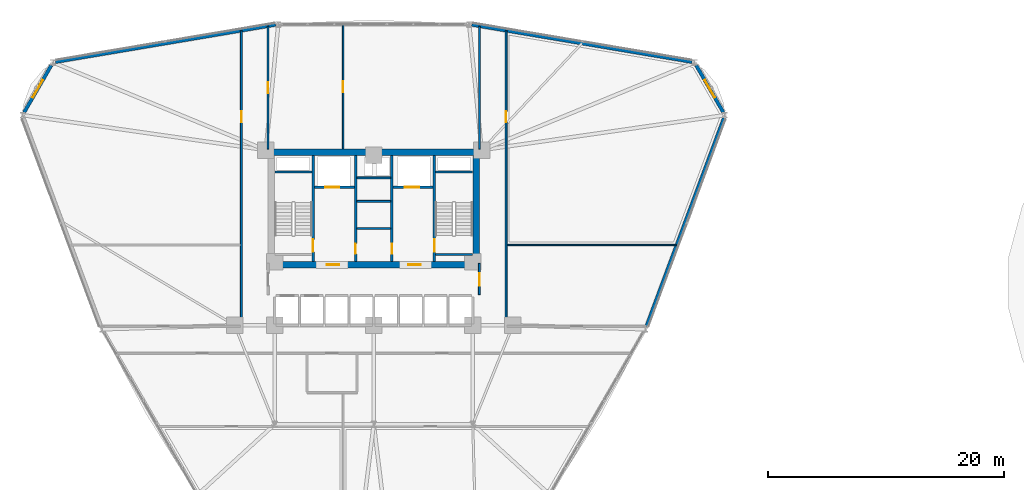
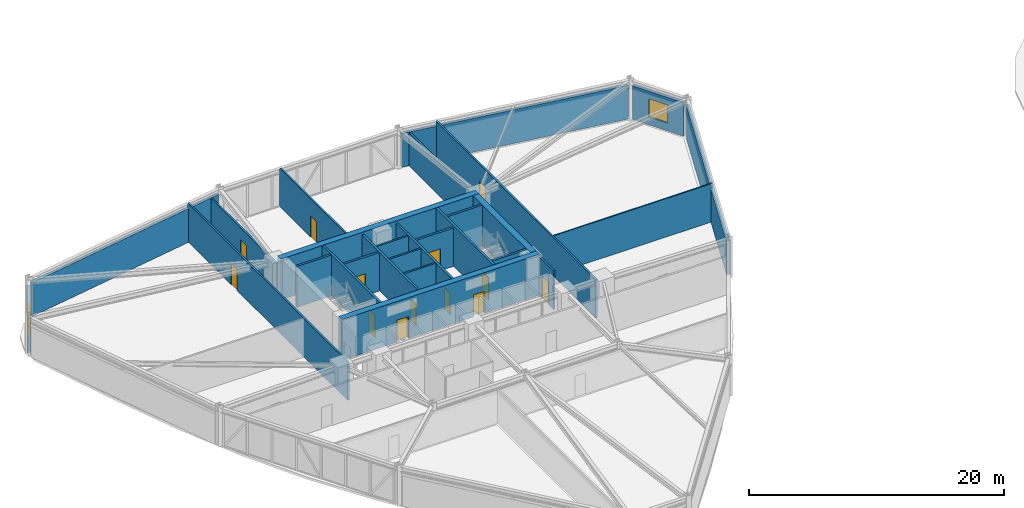
# One storey, part 17 of 23: 27 walls, 13 doors, 2 windows, 15 openings.
"""IFC4 building model written with IfcOpenShell, lengths in metres."""

from ifc_helpers import new_model, si_unit, derived_unit, direction, frame, frame_2d, origin, place, context, subcontext, project, spatial, rectangle, extrude, material, layer, layer_set, type_object, element, fill, save


model = new_model("IFC4")

# Units and contexts
model_context = context("Model", 3, precision=1e-05, world=origin(), true_north=direction((0.0, 1.0)))
body_context = subcontext(model_context, "Body", "Model", "MODEL_VIEW")
ifc_project = project(units=[si_unit("LENGTHUNIT", "METRE"), si_unit("AREAUNIT", "SQUARE_METRE"), si_unit("VOLUMEUNIT", "CUBIC_METRE"), si_unit("PLANEANGLEUNIT", "RADIAN"), si_unit("MASSUNIT", "GRAM", prefix="KILO"), derived_unit("THERMALTRANSMITTANCEUNIT", [(si_unit("POWERUNIT", "WATT"), 1), (si_unit("LENGTHUNIT", "METRE"), -2), (si_unit("THERMODYNAMICTEMPERATUREUNIT", "KELVIN"), -1)])], contexts=[model_context])

# Site, building, storey
site_placement = place(None, origin())
site = spatial("IfcSite", under=ifc_project, at=site_placement, CompositionType="ELEMENT")
building_placement = place(site_placement, origin())
building = spatial("IfcBuilding", under=site, at=building_placement, Name="Korsvarv Bourse and Concert Hall", CompositionType="ELEMENT")
storey_placement = place(building_placement, frame((0.0, 0.0, 24.0)))
storey = spatial("IfcBuildingStorey", under=building, at=storey_placement, Name="L05", CompositionType="ELEMENT", Elevation=24.0)

# Wall, opening, door
ifc_material_1 = material(Name="Concrete C50/60", Category="concrete")
ifc_layer_1 = layer(ifc_material_1, 0.3798828125)
ifc_layer_set_1 = layer_set([ifc_layer_1], Name="Concrete C50/60")
wall_type_1 = type_object("IfcWallType", Name="WL-CORE-380", PredefinedType="SHEAR", material=ifc_layer_set_1)
wall_1_placement = place(storey_placement, frame((30.860107421875, 37.81005859375, 0.0), z_axis=(0.0, 0.0, 1.0), x_axis=(0.0, 1.0, 0.0)))
wall_1 = element("IfcWall", 1, at=wall_1_placement, inside=storey, type_object=wall_type_1, Name="L05 stair shaft structural wall W-L05-ST1-E", PredefinedType="SHEAR", context=body_context, shape_type="SweptSolid", body=[
    extrude(rectangle(XDim=8.97998046875, YDim=0.199951171875, at=frame_2d((4.489990234375, 0.0))), origin(), (0.0, 0.0, 1.0), 3.89990234375),
])
opening_1_placement = place(wall_1_placement, frame((0.820068359375, 0.0, 0.0)))
opening_1 = element("IfcOpeningElement", 2, at=opening_1_placement, cuts=wall_1, Name="Opening D-01", PredefinedType="OPENING", context=body_context, shape_type="SweptSolid", body=[
    extrude(rectangle(XDim=1.050048828125, YDim=2.10009765625, at=frame_2d((0.52490234375, 1.050048828125))), frame((0.0, 0.10986328125, 0.0), z_axis=(0.0, -1.0, 0.0), x_axis=(1.0, 0.0, 0.0)), (0.0, 0.0, 1.0), 0.219970703125),
])
ifc_material_2 = material(Name="Steel S355 fire door", Category="steel")
door_type_1 = type_object("IfcDoorType", Name="DR-FD60", OperationType="NOTDEFINED", PredefinedType="DOOR", material=ifc_material_2)
door_1_placement = place(opening_1_placement, origin())
door_1 = element("IfcDoor", 3, at=door_1_placement, inside=storey, type_object=door_type_1, Name="L05 interior door DR-L05-ST1", OperationType="SINGLE_SWING_LEFT", OverallHeight=2.10009765625, OverallWidth=1.050048828125, PredefinedType="DOOR", context=body_context, shape_type="SweptSolid", body=[
    extrude(rectangle(XDim=1.050048828125, YDim=2.10009765625, at=frame_2d((0.52490234375, 1.050048828125))), frame((0.0, 0.02490234375, 0.0), z_axis=(0.0, -1.0, 0.0), x_axis=(1.0, 0.0, 0.0)), (0.0, 0.0, 1.0), 0.050048828125),
])
fill(opening_1, door_1)

# Wall
wall_2_placement = place(storey_placement, frame((27.610107421875, 45.39990234375, 0.0), z_axis=(0.0, 0.0, 1.0), x_axis=(1.0, 0.0, 0.0)))
element("IfcWall", 4, at=wall_2_placement, inside=storey, type_object=wall_type_1, Name="L05 stair shaft structural wall W-L05-ST1-N", PredefinedType="SHEAR", context=body_context, shape_type="SweptSolid", body=[
    extrude(rectangle(XDim=3.139892578125, YDim=0.199951171875, at=frame_2d((1.56982421875, 0.0))), origin(), (0.0, 0.0, 1.0), 3.89990234375),
])

# Wall, opening, door
wall_3_placement = place(storey_placement, frame((41.139892578125, 37.81005859375, 0.0), z_axis=(0.0, 0.0, 1.0), x_axis=(0.0, 1.0, 0.0)))
wall_3 = element("IfcWall", 5, at=wall_3_placement, inside=storey, type_object=wall_type_1, Name="L05 stair shaft structural wall W-L05-ST2-W", PredefinedType="SHEAR", context=body_context, shape_type="SweptSolid", body=[
    extrude(rectangle(XDim=8.97998046875, YDim=0.199951171875, at=frame_2d((4.489990234375, 0.0))), origin(), (0.0, 0.0, 1.0), 3.89990234375),
])
opening_2_placement = place(wall_3_placement, frame((0.820068359375, 0.0, 0.0)))
opening_2 = element("IfcOpeningElement", 6, at=opening_2_placement, cuts=wall_3, Name="Opening D-01", PredefinedType="OPENING", context=body_context, shape_type="SweptSolid", body=[
    extrude(rectangle(XDim=1.050048828125, YDim=2.10009765625, at=frame_2d((0.52490234375, 1.050048828125))), frame((0.0, 0.10986328125, 0.0), z_axis=(0.0, -1.0, 0.0), x_axis=(1.0, 0.0, 0.0)), (0.0, 0.0, 1.0), 0.219970703125),
])
door_2_placement = place(opening_2_placement, frame((1.050048828125, 0.0, 0.0), z_axis=(0.0, 0.0, 1.0), x_axis=(-1.0, 0.0, 0.0)))
door_2 = element("IfcDoor", 7, at=door_2_placement, inside=storey, type_object=door_type_1, Name="L05 interior door DR-L05-ST2", OperationType="SINGLE_SWING_RIGHT", OverallHeight=2.10009765625, OverallWidth=1.050048828125, PredefinedType="DOOR", context=body_context, shape_type="SweptSolid", body=[
    extrude(rectangle(XDim=1.050048828125, YDim=2.10009765625, at=frame_2d((0.52490234375, 1.050048828125))), frame((0.0, 0.02490234375, 0.0), z_axis=(0.0, -1.0, 0.0), x_axis=(1.0, 0.0, 0.0)), (0.0, 0.0, 1.0), 0.050048828125),
])
fill(opening_2, door_2)

# Walls
for number, where, z_axis, x_axis, name in (
    (8, (41.25, 45.39990234375, 0.0), (0.0, 0.0, 1.0), (1.0, 0.0, 0.0), "L05 stair shaft structural wall W-L05-ST2-N"),
    (9, (41.25, 38.39990234375, 0.0), (0.0, 0.0, 1.0), (1.0, 0.0, 0.0), "L05 stair shaft structural wall W-L05-ST2-S"),
):
    element("IfcWall", number, at=place(storey_placement, frame(where, z_axis=z_axis, x_axis=x_axis)), inside=storey, type_object=wall_type_1, Name=name, PredefinedType="SHEAR", context=body_context, shape_type="SweptSolid", body=[
        extrude(rectangle(XDim=3.139892578125, YDim=0.199951171875, at=frame_2d((1.56982421875, 0.0))), origin(), (0.0, 0.0, 1.0), 3.89990234375),
    ])
ifc_material_3 = material(Name="Concrete C60/75", Category="concrete")
ifc_layer_2 = layer(ifc_material_3, 0.550048828125)
ifc_layer_set_2 = layer_set([ifc_layer_2], Name="Concrete C60/75")
wall_type_2 = type_object("IfcWallType", Name="WL-CORE-550", PredefinedType="SHEAR", material=ifc_layer_set_2)
wall_4_placement = place(storey_placement, frame((27.050048828125, 47.074951171875, 0.0), z_axis=(0.0, 0.0, 1.0), x_axis=(1.0, 0.0, 0.0)))
element("IfcWall", 10, at=wall_4_placement, inside=storey, type_object=wall_type_2, Name="L05 North Core Shear Wall", PredefinedType="SHEAR", context=body_context, shape_type="SweptSolid", body=[
    extrude(rectangle(XDim=17.89990234375, YDim=0.550048828125, at=frame_2d((8.949951171875, 0.0))), origin(), (0.0, 0.0, 1.0), 3.89990234375),
])

# Wall, openings, doors
wall_5_placement = place(storey_placement, frame((27.050048828125, 37.52490234375, 0.0), z_axis=(0.0, 0.0, 1.0), x_axis=(1.0, 0.0, 0.0)))
wall_5 = element("IfcWall", 11, at=wall_5_placement, inside=storey, type_object=wall_type_2, Name="L05 South Core Shear Wall", PredefinedType="SHEAR", context=body_context, shape_type="SweptSolid", body=[
    extrude(rectangle(XDim=17.89990234375, YDim=0.550048828125, at=frame_2d((8.949951171875, 0.0))), origin(), (0.0, 0.0, 1.0), 3.89990234375),
])
opening_3_placement = place(wall_5_placement, frame((4.97509765625, 0.0, 0.0)))
opening_3 = element("IfcOpeningElement", 12, at=opening_3_placement, cuts=wall_5, Name="Opening D-01", PredefinedType="OPENING", context=body_context, shape_type="SweptSolid", body=[
    extrude(rectangle(XDim=1.050048828125, YDim=2.10009765625, at=frame_2d((0.52490234375, 1.050048828125))), frame((0.0, 0.28515625, 0.0), z_axis=(0.0, -1.0, 0.0), x_axis=(1.0, 0.0, 0.0)), (0.0, 0.0, 1.0), 0.570068359375),
])
opening_4_placement = place(wall_5_placement, frame((11.875, 0.0, 0.0)))
opening_4 = element("IfcOpeningElement", 13, at=opening_4_placement, cuts=wall_5, Name="Opening D-01", PredefinedType="OPENING", context=body_context, shape_type="SweptSolid", body=[
    extrude(rectangle(XDim=1.050048828125, YDim=2.10009765625, at=frame_2d((0.52490234375, 1.050048828125))), frame((0.0, 0.28515625, 0.0), z_axis=(0.0, -1.0, 0.0), x_axis=(1.0, 0.0, 0.0)), (0.0, 0.0, 1.0), 0.570068359375),
])
door_3_placement = place(opening_3_placement, frame((1.050048828125, 0.0, 0.0), z_axis=(0.0, 0.0, 1.0), x_axis=(-1.0, 0.0, 0.0)))
door_3 = element("IfcDoor", 14, at=door_3_placement, inside=storey, type_object=door_type_1, Name="L05 firefighting lobby fire door DR-L05-FFLW", OperationType="SINGLE_SWING_RIGHT", OverallHeight=2.10009765625, OverallWidth=1.050048828125, PredefinedType="DOOR", context=body_context, shape_type="SweptSolid", body=[
    extrude(rectangle(XDim=1.050048828125, YDim=2.10009765625, at=frame_2d((0.52490234375, 1.050048828125))), frame((0.0, 0.02490234375, 0.0), z_axis=(0.0, -1.0, 0.0), x_axis=(1.0, 0.0, 0.0)), (0.0, 0.0, 1.0), 0.050048828125),
])
fill(opening_3, door_3)
door_4_placement = place(opening_4_placement, frame((1.050048828125, 0.0, 0.0), z_axis=(0.0, 0.0, 1.0), x_axis=(-1.0, 0.0, 0.0)))
door_4 = element("IfcDoor", 15, at=door_4_placement, inside=storey, type_object=door_type_1, Name="L05 firefighting lobby fire door DR-L05-FFLE", OperationType="SINGLE_SWING_LEFT", OverallHeight=2.10009765625, OverallWidth=1.050048828125, PredefinedType="DOOR", context=body_context, shape_type="SweptSolid", body=[
    extrude(rectangle(XDim=1.050048828125, YDim=2.10009765625, at=frame_2d((0.52490234375, 1.050048828125))), frame((0.0, 0.02490234375, 0.0), z_axis=(0.0, -1.0, 0.0), x_axis=(1.0, 0.0, 0.0)), (0.0, 0.0, 1.0), 0.050048828125),
])
fill(opening_4, door_4)

# Wall
wall_6_placement = place(storey_placement, frame((44.675048828125, 37.800048828125, 0.0), z_axis=(0.0, 0.0, 1.0), x_axis=(0.0, 1.0, 0.0)))
element("IfcWall", 16, at=wall_6_placement, inside=storey, type_object=wall_type_2, Name="L05 East Core Shear Wall", PredefinedType="SHEAR", context=body_context, shape_type="SweptSolid", body=[
    extrude(rectangle(XDim=9.0, YDim=0.550048828125, at=frame_2d((4.5, 0.0))), origin(), (0.0, 0.0, 1.0), 3.89990234375),
])

# Wall, opening, window
ifc_material_4 = material(Name="Precast concrete C45/55 with terracotta rainscreen", Category="concrete")
ifc_layer_3 = layer(ifc_material_4, 0.300048828125)
ifc_layer_set_3 = layer_set([ifc_layer_3], Name="Precast concrete C45/55 with terracotta rainscreen")
wall_type_3 = type_object("IfcWallType", Name="WL-EXT-TC1", PredefinedType="SOLIDWALL", material=ifc_layer_set_3)
wall_7_placement = place(storey_placement, frame((65.64892578125, 50.459228515625, 0.0), z_axis=(0.0, 0.0, 1.0), x_axis=(-0.500022295776, 0.86601253093, 0.0)))
wall_7 = element("IfcWall", 17, at=wall_7_placement, inside=storey, type_object=wall_type_3, Name="L05 terracotta exterior wall EW-L05-B01", PredefinedType="SOLIDWALL", context=body_context, shape_type="SweptSolid", body=[
    extrude(rectangle(XDim=4.604736328125, YDim=0.300048828125, at=frame_2d((2.30224609375, 0.0))), origin(), (0.0, 0.0, 1.0), 3.22998046875),
])
opening_5_placement = place(wall_7_placement, frame((1.452392578125, 0.0, 0.75)))
opening_5 = element("IfcOpeningElement", 18, at=opening_5_placement, cuts=wall_7, Name="Opening W-01", PredefinedType="OPENING", context=body_context, shape_type="SweptSolid", body=[
    extrude(rectangle(XDim=1.699951171875, YDim=1.75, at=frame_2d((0.85009765625, 0.875))), frame((0.0, 0.16015625, 0.0), z_axis=(0.0, -1.0, 0.0), x_axis=(1.0, 0.0, 0.0)), (0.0, 0.0, 1.0), 0.320068359375),
])
ifc_material_5 = material(Name="Thermally broken aluminium frame with triple low-E glass", Category="glass")
window_type = type_object("IfcWindowType", Name="WIN-TW1", PartitioningType="SINGLE_PANEL", PredefinedType="WINDOW", material=ifc_material_5)
window_1_placement = place(opening_5_placement, origin())
window_1 = element("IfcWindow", 19, at=window_1_placement, inside=storey, type_object=window_type, Name="L05 punched facade window W-01", OverallHeight=1.75, OverallWidth=1.699951171875, PartitioningType="SINGLE_PANEL", PredefinedType="WINDOW", context=body_context, shape_type="SweptSolid", body=[
    extrude(rectangle(XDim=1.699951171875, YDim=1.75, at=frame_2d((0.85009765625, 0.875))), frame((0.0, 0.030029296875, 0.0), z_axis=(0.0, -1.0, 0.0), x_axis=(1.0, 0.0, 0.0)), (0.0, 0.0, 1.0), 0.06005859375),
])
fill(opening_5, window_1)

wall_8_placement = place(storey_placement, frame((8.653564453125, 54.447021484375, 0.0), z_axis=(0.0, 0.0, 1.0), x_axis=(-0.500022295776, -0.86601253093, 0.0)))
wall_8 = element("IfcWall", 20, at=wall_8_placement, inside=storey, type_object=wall_type_3, Name="L05 terracotta exterior wall EW-L05-B05", PredefinedType="SOLIDWALL", context=body_context, shape_type="SweptSolid", body=[
    extrude(rectangle(XDim=4.604736328125, YDim=0.300048828125, at=frame_2d((2.30224609375, 0.0))), origin(), (0.0, 0.0, 1.0), 3.22998046875),
])
opening_6_placement = place(wall_8_placement, frame((1.452392578125, 0.0, 0.75)))
opening_6 = element("IfcOpeningElement", 21, at=opening_6_placement, cuts=wall_8, Name="Opening W-01", PredefinedType="OPENING", context=body_context, shape_type="SweptSolid", body=[
    extrude(rectangle(XDim=1.699951171875, YDim=1.75, at=frame_2d((0.85009765625, 0.875))), frame((0.0, 0.16015625, 0.0), z_axis=(0.0, -1.0, 0.0), x_axis=(1.0, 0.0, 0.0)), (0.0, 0.0, 1.0), 0.320068359375),
])
window_2_placement = place(opening_6_placement, origin())
window_2 = element("IfcWindow", 22, at=window_2_placement, inside=storey, type_object=window_type, Name="L05 punched facade window W-01", OverallHeight=1.75, OverallWidth=1.699951171875, PartitioningType="SINGLE_PANEL", PredefinedType="WINDOW", context=body_context, shape_type="SweptSolid", body=[
    extrude(rectangle(XDim=1.699951171875, YDim=1.75, at=frame_2d((0.85009765625, 0.875))), frame((0.0, 0.030029296875, 0.0), z_axis=(0.0, -1.0, 0.0), x_axis=(1.0, 0.0, 0.0)), (0.0, 0.0, 1.0), 0.06005859375),
])
fill(opening_6, window_2)

# Walls
ifc_material_6 = material(Name="Precast concrete C45/55 with fluted terracotta pier", Category="concrete")
ifc_layer_4 = layer(ifc_material_6, 0.280029296875)
ifc_layer_set_4 = layer_set([ifc_layer_4], Name="Precast concrete C45/55 with fluted terracotta pier")
wall_type_4 = type_object("IfcWallType", Name="WL-EXT-TC2", PredefinedType="SOLIDWALL", material=ifc_layer_set_4)
for number, where, z_axis, x_axis, name in (
    (23, (62.98974609375, 54.725830078125, 0.0), (0.0, 0.0, 1.0), (-0.98603202958, 0.166555806393, 0.0), "L05 terracotta exterior wall EW-L05-B02"),
    (24, (27.685546875, 57.88037109375, 0.0), (0.0, 0.0, 1.0), (-0.98603202958, -0.166555806393, 0.0), "L05 terracotta exterior wall EW-L05-B04"),
):
    element("IfcWall", number, at=place(storey_placement, frame(where, z_axis=z_axis, x_axis=x_axis)), inside=storey, type_object=wall_type_4, Name=name, PredefinedType="SOLIDWALL", context=body_context, shape_type="SweptSolid", body=[
        extrude(rectangle(XDim=18.93994140625, YDim=0.280029296875, at=frame_2d((9.469970703125, 0.0))), origin(), (0.0, 0.0, 1.0), 3.22998046875),
    ])
wall_9_placement = place(storey_placement, frame((59.11962890625, 32.296142578125, 0.0), z_axis=(0.0, 0.0, 1.0), x_axis=(0.348763587367, 0.937210734108, 0.0)))
element("IfcWall", 25, at=wall_9_placement, inside=storey, type_object=wall_type_4, Name="L05 terracotta exterior wall EW-L05-B12", PredefinedType="SOLIDWALL", context=body_context, shape_type="SweptSolid", body=[
    extrude(rectangle(XDim=18.86328125, YDim=0.280029296875, at=frame_2d((9.431640625, 0.0))), origin(), (0.0, 0.0, 1.0), 3.22998046875),
])

# Wall, opening, door
ifc_material_7 = material(Name="Reinforced concrete blockwork C35/45 fire wall", Category="concrete")
ifc_layer_5 = layer(ifc_material_7, 0.199951171875)
ifc_layer_set_5 = layer_set([ifc_layer_5], Name="Reinforced concrete blockwork C35/45 fire wall")
wall_type_5 = type_object("IfcWallType", Name="WL-INT-EI120", PredefinedType="PARTITIONING", material=ifc_layer_set_5)
wall_10_placement = place(storey_placement, frame((30.969970703125, 44.10009765625, 0.0), z_axis=(0.0, 0.0, 1.0), x_axis=(1.0, 0.0, 0.0)))
wall_10 = element("IfcWall", 26, at=wall_10_placement, inside=storey, type_object=wall_type_5, Name="L05 interior partition wall W-L05-FF1-S", PredefinedType="PARTITIONING", context=body_context, shape_type="SweptSolid", body=[
    extrude(rectangle(XDim=3.380126953125, YDim=0.199951171875, at=frame_2d((1.68994140625, 0.0))), origin(), (0.0, 0.0, 1.0), 3.679931640625),
])
opening_7_placement = place(wall_10_placement, frame((0.89990234375, 0.0, 0.0)))
opening_7 = element("IfcOpeningElement", 27, at=opening_7_placement, cuts=wall_10, Name="Opening LD-1", PredefinedType="OPENING", context=body_context, shape_type="SweptSolid", body=[
    extrude(rectangle(XDim=1.199951171875, YDim=2.10009765625, at=frame_2d((0.60009765625, 1.050048828125))), frame((0.0, 0.10986328125, 0.0), z_axis=(0.0, -1.0, 0.0), x_axis=(1.0, 0.0, 0.0)), (0.0, 0.0, 1.0), 0.219970703125),
])
ifc_material_8 = material(Name="Stainless Steel S355 firefighting lift landing door", Category="steel")
door_type_2 = type_object("IfcDoorType", Name="DR-LIFT-FF", OperationType="DOUBLE_DOOR_SLIDING", PredefinedType="DOOR", material=ifc_material_8)
door_5_placement = place(opening_7_placement, origin())
door_5 = element("IfcDoor", 28, at=door_5_placement, inside=storey, type_object=door_type_2, Name="L05 lift sliding landing door LD-L05-FF1", OperationType="DOUBLE_DOOR_SLIDING", OverallHeight=2.10009765625, OverallWidth=1.199951171875, PredefinedType="DOOR", context=body_context, shape_type="SweptSolid", body=[
    extrude(rectangle(XDim=1.199951171875, YDim=2.10009765625, at=frame_2d((0.60009765625, 1.050048828125))), frame((0.0, 0.02490234375, 0.0), z_axis=(0.0, -1.0, 0.0), x_axis=(1.0, 0.0, 0.0)), (0.0, 0.0, 1.0), 0.050048828125),
])
fill(opening_7, door_5)

wall_11_placement = place(storey_placement, frame((37.64990234375, 44.10009765625, 0.0), z_axis=(0.0, 0.0, 1.0), x_axis=(1.0, 0.0, 0.0)))
wall_11 = element("IfcWall", 29, at=wall_11_placement, inside=storey, type_object=wall_type_5, Name="L05 interior partition wall W-L05-FF2-S", PredefinedType="PARTITIONING", context=body_context, shape_type="SweptSolid", body=[
    extrude(rectangle(XDim=3.380126953125, YDim=0.199951171875, at=frame_2d((1.68994140625, 0.0))), origin(), (0.0, 0.0, 1.0), 3.679931640625),
])
opening_8_placement = place(wall_11_placement, frame((1.0, 0.0, 0.0)))
opening_8 = element("IfcOpeningElement", 30, at=opening_8_placement, cuts=wall_11, Name="Opening LD-1", PredefinedType="OPENING", context=body_context, shape_type="SweptSolid", body=[
    extrude(rectangle(XDim=1.199951171875, YDim=2.10009765625, at=frame_2d((0.60009765625, 1.050048828125))), frame((0.0, 0.10986328125, 0.0), z_axis=(0.0, -1.0, 0.0), x_axis=(1.0, 0.0, 0.0)), (0.0, 0.0, 1.0), 0.219970703125),
])
door_6_placement = place(opening_8_placement, origin())
door_6 = element("IfcDoor", 31, at=door_6_placement, inside=storey, type_object=door_type_2, Name="L05 lift sliding landing door LD-L05-FF2", OperationType="DOUBLE_DOOR_SLIDING", OverallHeight=2.10009765625, OverallWidth=1.199951171875, PredefinedType="DOOR", context=body_context, shape_type="SweptSolid", body=[
    extrude(rectangle(XDim=1.199951171875, YDim=2.10009765625, at=frame_2d((0.60009765625, 1.050048828125))), frame((0.0, 0.02490234375, 0.0), z_axis=(0.0, -1.0, 0.0), x_axis=(1.0, 0.0, 0.0)), (0.0, 0.0, 1.0), 0.050048828125),
])
fill(opening_8, door_6)

wall_12_placement = place(storey_placement, frame((34.4599609375, 37.81005859375, 0.0), z_axis=(0.0, 0.0, 1.0), x_axis=(0.0, 1.0, 0.0)))
wall_12 = element("IfcWall", 32, at=wall_12_placement, inside=storey, type_object=wall_type_5, Name="L05 interior partition wall W-L05-CSB-W", PredefinedType="PARTITIONING", context=body_context, shape_type="SweptSolid", body=[
    extrude(rectangle(XDim=8.97998046875, YDim=0.199951171875, at=frame_2d((4.489990234375, 0.0))), origin(), (0.0, 0.0, 1.0), 3.679931640625),
])
opening_9_placement = place(wall_12_placement, frame((0.64990234375, 0.0, 0.0)))
opening_9 = element("IfcOpeningElement", 33, at=opening_9_placement, cuts=wall_12, Name="Opening D-05", PredefinedType="OPENING", context=body_context, shape_type="SweptSolid", body=[
    extrude(rectangle(XDim=0.85009765625, YDim=2.050048828125, at=frame_2d((0.425048828125, 1.02490234375))), frame((0.0, 0.10986328125, 0.0), z_axis=(0.0, -1.0, 0.0), x_axis=(1.0, 0.0, 0.0)), (0.0, 0.0, 1.0), 0.219970703125),
])
door_type_3 = type_object("IfcDoorType", Name="DR-FD60-850X2050", OperationType="NOTDEFINED", PredefinedType="DOOR", material=ifc_material_2)
door_7_placement = place(opening_9_placement, frame((0.85009765625, 0.0, 0.0), z_axis=(0.0, 0.0, 1.0), x_axis=(-1.0, 0.0, 0.0)))
door_7 = element("IfcDoor", 34, at=door_7_placement, inside=storey, type_object=door_type_3, Name="L05 interior door DR-L05-CSB1", OperationType="SINGLE_SWING_LEFT", OverallHeight=2.050048828125, OverallWidth=0.85009765625, PredefinedType="DOOR", context=body_context, shape_type="SweptSolid", body=[
    extrude(rectangle(XDim=0.85009765625, YDim=2.050048828125, at=frame_2d((0.425048828125, 1.02490234375))), frame((0.0, 0.02490234375, 0.0), z_axis=(0.0, -1.0, 0.0), x_axis=(1.0, 0.0, 0.0)), (0.0, 0.0, 1.0), 0.050048828125),
])
fill(opening_9, door_7)

wall_13_placement = place(storey_placement, frame((37.5400390625, 37.81005859375, 0.0), z_axis=(0.0, 0.0, 1.0), x_axis=(0.0, 1.0, 0.0)))
wall_13 = element("IfcWall", 35, at=wall_13_placement, inside=storey, type_object=wall_type_5, Name="L05 interior partition wall W-L05-CSB-E", PredefinedType="PARTITIONING", context=body_context, shape_type="SweptSolid", body=[
    extrude(rectangle(XDim=8.97998046875, YDim=0.199951171875, at=frame_2d((4.489990234375, 0.0))), origin(), (0.0, 0.0, 1.0), 3.679931640625),
])
opening_10_placement = place(wall_13_placement, frame((0.64990234375, 0.0, 0.0)))
opening_10 = element("IfcOpeningElement", 36, at=opening_10_placement, cuts=wall_13, Name="Opening D-05", PredefinedType="OPENING", context=body_context, shape_type="SweptSolid", body=[
    extrude(rectangle(XDim=0.85009765625, YDim=2.050048828125, at=frame_2d((0.425048828125, 1.02490234375))), frame((0.0, 0.10986328125, 0.0), z_axis=(0.0, -1.0, 0.0), x_axis=(1.0, 0.0, 0.0)), (0.0, 0.0, 1.0), 0.219970703125),
])
door_8_placement = place(opening_10_placement, origin())
door_8 = element("IfcDoor", 37, at=door_8_placement, inside=storey, type_object=door_type_3, Name="L05 interior door DR-L05-CSB2", OperationType="SINGLE_SWING_RIGHT", OverallHeight=2.050048828125, OverallWidth=0.85009765625, PredefinedType="DOOR", context=body_context, shape_type="SweptSolid", body=[
    extrude(rectangle(XDim=0.85009765625, YDim=2.050048828125, at=frame_2d((0.425048828125, 1.02490234375))), frame((0.0, 0.02490234375, 0.0), z_axis=(0.0, -1.0, 0.0), x_axis=(1.0, 0.0, 0.0)), (0.0, 0.0, 1.0), 0.050048828125),
])
fill(opening_10, door_8)

# Walls
ifc_material_9 = material(Name="Double-stud fire-rated acoustic partition", Category="gypsum")
ifc_layer_6 = layer(ifc_material_9, 0.159912109375)
ifc_layer_set_6 = layer_set([ifc_layer_6], Name="Double-stud fire-rated acoustic partition")
wall_type_6 = type_object("IfcWallType", Name="WL-INT-EI60", PredefinedType="PARTITIONING", material=ifc_layer_set_6)
for number, where, z_axis, x_axis, name in (
    (38, (34.570068359375, 40.60009765625, 0.0), (0.0, 0.0, 1.0), (1.0, 0.0, 0.0), "L05 interior partition wall W-L05-K1"),
    (39, (34.570068359375, 42.89990234375, 0.0), (0.0, 0.0, 1.0), (1.0, 0.0, 0.0), "L05 interior partition wall W-L05-K2"),
    (40, (34.570068359375, 44.89990234375, 0.0), (0.0, 0.0, 1.0), (1.0, 0.0, 0.0), "L05 interior partition wall W-L05-K3"),
):
    element("IfcWall", number, at=place(storey_placement, frame(where, z_axis=z_axis, x_axis=x_axis)), inside=storey, type_object=wall_type_6, Name=name, PredefinedType="PARTITIONING", context=body_context, shape_type="SweptSolid", body=[
        extrude(rectangle(XDim=2.85986328125, YDim=0.159912109375, at=frame_2d((1.429931640625, 0.0))), origin(), (0.0, 0.0, 1.0), 3.679931640625),
    ])

# Wall, opening, door
wall_14_placement = place(storey_placement, frame((44.9599609375, 35.0, 0.0), z_axis=(0.0, 0.0, 1.0), x_axis=(0.0, 1.0, 0.0)))
wall_14 = element("IfcWall", 41, at=wall_14_placement, inside=storey, type_object=wall_type_6, Name="L05 interior partition wall W-L05-LOB-E", PredefinedType="PARTITIONING", context=body_context, shape_type="SweptSolid", body=[
    extrude(rectangle(XDim=2.64990234375, YDim=0.159912109375, at=frame_2d((1.324951171875, 0.0))), origin(), (0.0, 0.0, 1.0), 3.679931640625),
])
opening_11_placement = place(wall_14_placement, frame((0.75, 0.0, 0.0)))
opening_11 = element("IfcOpeningElement", 42, at=opening_11_placement, cuts=wall_14, Name="Opening D-01", PredefinedType="OPENING", context=body_context, shape_type="SweptSolid", body=[
    extrude(rectangle(XDim=1.050048828125, YDim=2.10009765625, at=frame_2d((0.52490234375, 1.050048828125))), frame((0.0, 0.08984375, 0.0), z_axis=(0.0, -1.0, 0.0), x_axis=(1.0, 0.0, 0.0)), (0.0, 0.0, 1.0), 0.179931640625),
])
door_9_placement = place(opening_11_placement, origin())
door_9 = element("IfcDoor", 43, at=door_9_placement, inside=storey, type_object=door_type_1, Name="L05 interior door DR-L05-LOBE", OperationType="SINGLE_SWING_RIGHT", OverallHeight=2.10009765625, OverallWidth=1.050048828125, PredefinedType="DOOR", context=body_context, shape_type="SweptSolid", body=[
    extrude(rectangle(XDim=1.050048828125, YDim=2.10009765625, at=frame_2d((0.52490234375, 1.050048828125))), frame((0.0, 0.02490234375, 0.0), z_axis=(0.0, -1.0, 0.0), x_axis=(1.0, 0.0, 0.0)), (0.0, 0.0, 1.0), 0.050048828125),
])
fill(opening_11, door_9)

wall_15_placement = place(storey_placement, frame((47.22509765625, 32.31005859375, 0.0), z_axis=(0.0, 0.0, 1.0), x_axis=(0.0, 1.0, 0.0)))
wall_15 = element("IfcWall", 44, at=wall_15_placement, inside=storey, type_object=wall_type_6, Name="L05 interior partition wall W-L05-TCOR-02", PredefinedType="PARTITIONING", context=body_context, shape_type="SweptSolid", body=[
    extrude(rectangle(XDim=25.058837890625, YDim=0.159912109375, at=frame_2d((12.529296875, 0.0))), origin(), (0.0, 0.0, 1.0), 3.679931640625),
])
opening_12_placement = place(wall_15_placement, frame((17.28662109375, 0.0, 0.0)))
opening_12 = element("IfcOpeningElement", 45, at=opening_12_placement, cuts=wall_15, Name="Opening D-02", PredefinedType="OPENING", context=body_context, shape_type="SweptSolid", body=[
    extrude(rectangle(XDim=0.949951171875, YDim=2.050048828125, at=frame_2d((0.47509765625, 1.02490234375))), frame((0.0, 0.08984375, 0.0), z_axis=(0.0, -1.0, 0.0), x_axis=(1.0, 0.0, 0.0)), (0.0, 0.0, 1.0), 0.179931640625),
])
ifc_material_10 = material(Name="Timber and steel acoustic fire door", Category="wood")
door_type_4 = type_object("IfcDoorType", Name="DR-FD30", OperationType="NOTDEFINED", PredefinedType="DOOR", material=ifc_material_10)
door_10_placement = place(opening_12_placement, origin())
door_10 = element("IfcDoor", 46, at=door_10_placement, inside=storey, type_object=door_type_4, Name="L05 interior door DR-L05-TCOR-EQ82", OperationType="SINGLE_SWING_RIGHT", OverallHeight=2.050048828125, OverallWidth=0.949951171875, PredefinedType="DOOR", context=body_context, shape_type="SweptSolid", body=[
    extrude(rectangle(XDim=0.949951171875, YDim=2.050048828125, at=frame_2d((0.47509765625, 1.02490234375))), frame((0.0, 0.02490234375, 0.0), z_axis=(0.0, -1.0, 0.0), x_axis=(1.0, 0.0, 0.0)), (0.0, 0.0, 1.0), 0.050048828125),
])
fill(opening_12, door_10)

wall_16_placement = place(storey_placement, frame((24.77490234375, 32.31005859375, 0.0), z_axis=(0.0, 0.0, 1.0), x_axis=(0.0, 1.0, 0.0)))
wall_16 = element("IfcWall", 47, at=wall_16_placement, inside=storey, type_object=wall_type_6, Name="L05 interior partition wall W-L05-TCOR-03", PredefinedType="PARTITIONING", context=body_context, shape_type="SweptSolid", body=[
    extrude(rectangle(XDim=25.058837890625, YDim=0.159912109375, at=frame_2d((12.529296875, 0.0))), origin(), (0.0, 0.0, 1.0), 3.679931640625),
])
opening_13_placement = place(wall_16_placement, frame((17.28662109375, 0.0, 0.0)))
opening_13 = element("IfcOpeningElement", 48, at=opening_13_placement, cuts=wall_16, Name="Opening D-02", PredefinedType="OPENING", context=body_context, shape_type="SweptSolid", body=[
    extrude(rectangle(XDim=0.949951171875, YDim=2.050048828125, at=frame_2d((0.47509765625, 1.02490234375))), frame((0.0, 0.08984375, 0.0), z_axis=(0.0, -1.0, 0.0), x_axis=(1.0, 0.0, 0.0)), (0.0, 0.0, 1.0), 0.179931640625),
])
door_11_placement = place(opening_13_placement, origin())
door_11 = element("IfcDoor", 49, at=door_11_placement, inside=storey, type_object=door_type_4, Name="L05 interior door DR-L05-TCOR-EQ610", OperationType="SINGLE_SWING_LEFT", OverallHeight=2.050048828125, OverallWidth=0.949951171875, PredefinedType="DOOR", context=body_context, shape_type="SweptSolid", body=[
    extrude(rectangle(XDim=0.949951171875, YDim=2.050048828125, at=frame_2d((0.47509765625, 1.02490234375))), frame((0.0, 0.02490234375, 0.0), z_axis=(0.0, -1.0, 0.0), x_axis=(1.0, 0.0, 0.0)), (0.0, 0.0, 1.0), 0.050048828125),
])
fill(opening_13, door_11)

wall_17_placement = place(storey_placement, frame((27.034912109375, 47.340087890625, 0.0), z_axis=(0.0, 0.0, 1.0), x_axis=(0.0, 1.0, 0.0)))
wall_17 = element("IfcWall", 50, at=wall_17_placement, inside=storey, type_object=wall_type_6, Name="L05 interior partition wall W-L05-TCOR-06", PredefinedType="PARTITIONING", context=body_context, shape_type="SweptSolid", body=[
    extrude(rectangle(XDim=10.410400390625, YDim=0.159912109375, at=frame_2d((5.205078125, 0.0))), origin(), (0.0, 0.0, 1.0), 3.179931640625),
])
opening_14_placement = place(wall_17_placement, frame((4.730224609375, 0.0, 0.0)))
opening_14 = element("IfcOpeningElement", 51, at=opening_14_placement, cuts=wall_17, Name="Opening D-02", PredefinedType="OPENING", context=body_context, shape_type="SweptSolid", body=[
    extrude(rectangle(XDim=0.949951171875, YDim=2.050048828125, at=frame_2d((0.47509765625, 1.02490234375))), frame((0.0, 0.08984375, 0.0), z_axis=(0.0, -1.0, 0.0), x_axis=(1.0, 0.0, 0.0)), (0.0, 0.0, 1.0), 0.179931640625),
])
door_12_placement = place(opening_14_placement, origin())
door_12 = element("IfcDoor", 52, at=door_12_placement, inside=storey, type_object=door_type_4, Name="L05 interior door DR-L05-TCOR-RM77", OperationType="SINGLE_SWING_RIGHT", OverallHeight=2.050048828125, OverallWidth=0.949951171875, PredefinedType="DOOR", context=body_context, shape_type="SweptSolid", body=[
    extrude(rectangle(XDim=0.949951171875, YDim=2.050048828125, at=frame_2d((0.47509765625, 1.02490234375))), frame((0.0, 0.02490234375, 0.0), z_axis=(0.0, -1.0, 0.0), x_axis=(1.0, 0.0, 0.0)), (0.0, 0.0, 1.0), 0.050048828125),
])
fill(opening_14, door_12)

# Walls
wall_18_placement = place(storey_placement, frame((44.965087890625, 47.340087890625, 0.0), z_axis=(0.0, 0.0, 1.0), x_axis=(0.0, 1.0, 0.0)))
element("IfcWall", 53, at=wall_18_placement, inside=storey, type_object=wall_type_6, Name="L05 interior partition wall W-L05-TCOR-07", PredefinedType="PARTITIONING", context=body_context, shape_type="SweptSolid", body=[
    extrude(rectangle(XDim=10.410400390625, YDim=0.159912109375, at=frame_2d((5.205078125, 0.0))), origin(), (0.0, 0.0, 1.0), 3.179931640625),
])
ifc_material_11 = material(Name="Demountable acoustic glass and aluminium dealing partition", Category="aluminium")
ifc_layer_7 = layer(ifc_material_11, 0.110107421875)
ifc_layer_set_7 = layer_set([ifc_layer_7], Name="Demountable acoustic glass and aluminium dealing partition")
wall_type_7 = type_object("IfcWallType", Name="WL-INT-MOV", PredefinedType="MOVABLE", material=ifc_layer_set_7)
wall_19_placement = place(storey_placement, frame((47.306884765625, 39.205078125, 0.0), z_axis=(0.0, 0.0, 1.0), x_axis=(1.0, 0.0, 0.0)))
element("IfcWall", 54, at=wall_19_placement, inside=storey, type_object=wall_type_7, Name="L05 interior partition wall W-L05-TCOR-11", PredefinedType="MOVABLE", context=body_context, shape_type="SweptSolid", body=[
    extrude(rectangle(XDim=14.36376953125, YDim=0.110107421875, at=frame_2d((7.181884765625, 0.0))), origin(), (0.0, 0.0, 1.0), 3.679931640625),
])

# Wall, opening, door
ifc_material_12 = material(Name="Insulated steel-stud office acoustic partition", Category="gypsum")
ifc_layer_8 = layer(ifc_material_12, 0.139892578125)
ifc_layer_set_8 = layer_set([ifc_layer_8], Name="Insulated steel-stud office acoustic partition")
wall_type_8 = type_object("IfcWallType", Name="WL-INT-P1", PredefinedType="PARTITIONING", material=ifc_layer_set_8)
wall_20_placement = place(storey_placement, frame((33.405029296875, 47.35205078125, 0.0), z_axis=(0.0, 0.0, 1.0), x_axis=(0.0, 1.0, 0.0)))
wall_20 = element("IfcWall", 55, at=wall_20_placement, inside=storey, type_object=wall_type_8, Name="L05 interior partition wall W-L05-TCOR-12", PredefinedType="PARTITIONING", context=body_context, shape_type="SweptSolid", body=[
    extrude(rectangle(XDim=10.545166015625, YDim=0.139892578125, at=frame_2d((5.2724609375, 0.0))), origin(), (0.0, 0.0, 1.0), 3.679931640625),
])
opening_15_placement = place(wall_20_placement, frame((4.797607421875, 0.0, 0.0)))
opening_15 = element("IfcOpeningElement", 56, at=opening_15_placement, cuts=wall_20, Name="Opening D-03", PredefinedType="OPENING", context=body_context, shape_type="SweptSolid", body=[
    extrude(rectangle(XDim=0.949951171875, YDim=2.050048828125, at=frame_2d((0.47509765625, 1.02490234375))), frame((0.0, 0.080078125, 0.0), z_axis=(0.0, -1.0, 0.0), x_axis=(1.0, 0.0, 0.0)), (0.0, 0.0, 1.0), 0.159912109375),
])
ifc_material_13 = material(Name="Nordic oak acoustic office door", Category="wood")
door_type_5 = type_object("IfcDoorType", Name="DR-INT-1", OperationType="NOTDEFINED", PredefinedType="DOOR", material=ifc_material_13)
door_13_placement = place(opening_15_placement, origin())
door_13 = element("IfcDoor", 57, at=door_13_placement, inside=storey, type_object=door_type_5, Name="L05 interior door DR-L05-TCOR-RM88", OperationType="SINGLE_SWING_LEFT", OverallHeight=2.050048828125, OverallWidth=0.949951171875, PredefinedType="DOOR", context=body_context, shape_type="SweptSolid", body=[
    extrude(rectangle(XDim=0.949951171875, YDim=2.050048828125, at=frame_2d((0.47509765625, 1.02490234375))), frame((0.0, 0.02490234375, 0.0), z_axis=(0.0, -1.0, 0.0), x_axis=(1.0, 0.0, 0.0)), (0.0, 0.0, 1.0), 0.050048828125),
])
fill(opening_15, door_13)

save(model, "model.ifc")
